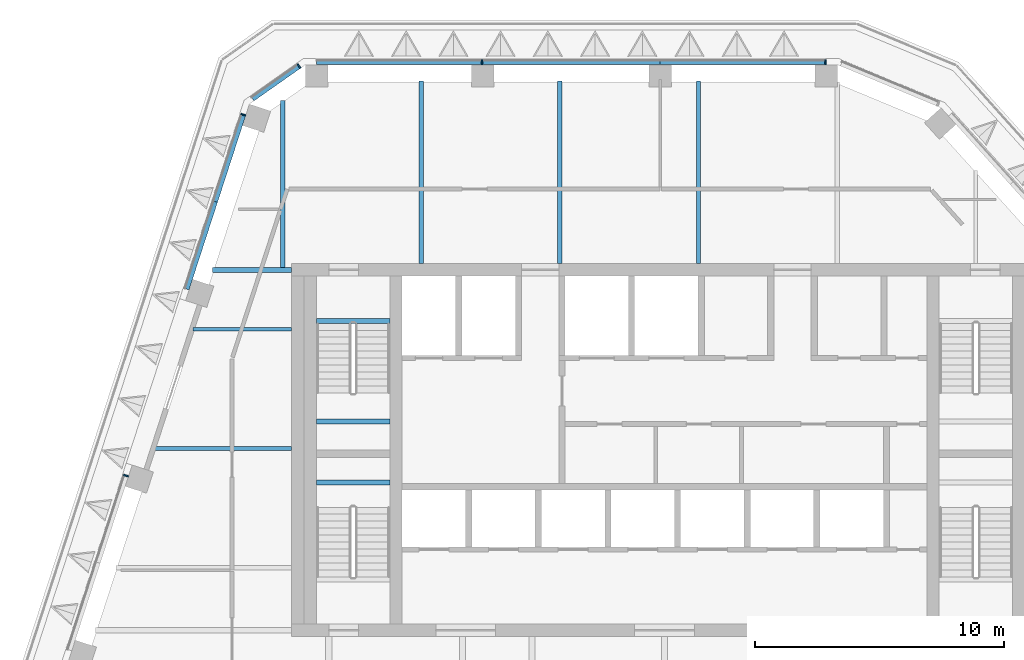
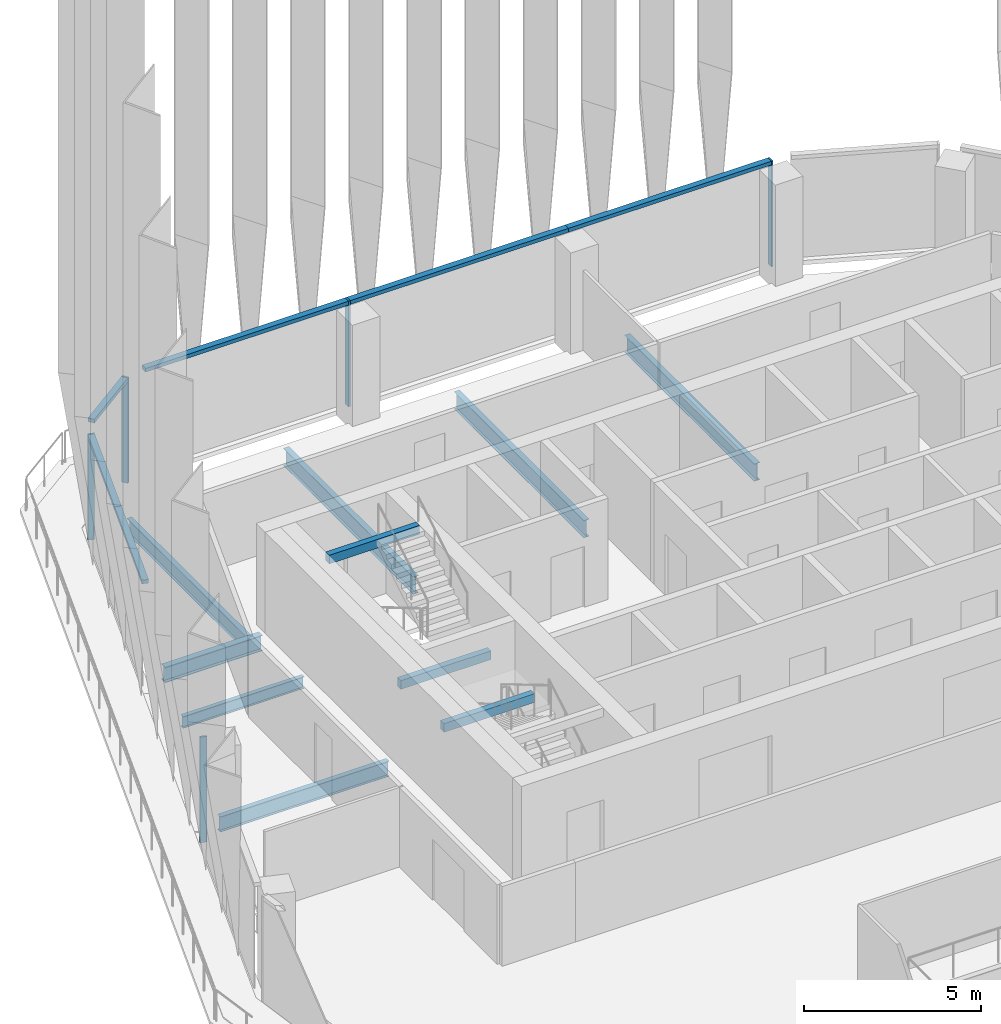
# One storey, part 5 of 21: 11 members, 10 beams, 3 elements without a shape of their own.
"""IFC4 building model written with IfcOpenShell, lengths in metres."""

from ifc_helpers import new_model, si_unit, direction, frame, origin, origin_2d, place, context, subcontext, project, spatial, rectangle, i_section, extrude, material, layer, layer_set, material_profile, profile_set, type_object, element, aggregate, save


model = new_model("IFC4")

# Units and contexts
model_context = context("Model", 3, precision=1e-05, world=origin(), true_north=direction((0.0, 1.0)))
body_context = subcontext(model_context, "Body", "Model", "MODEL_VIEW")
ifc_project = project(units=[si_unit("LENGTHUNIT", "METRE"), si_unit("AREAUNIT", "SQUARE_METRE"), si_unit("VOLUMEUNIT", "CUBIC_METRE"), si_unit("PLANEANGLEUNIT", "RADIAN"), si_unit("MASSUNIT", "GRAM", prefix="KILO")], contexts=[model_context])

# Site, building, storey
site_placement = place(None, origin())
site = spatial("IfcSite", under=ifc_project, at=site_placement, CompositionType="ELEMENT")
building_placement = place(site_placement, origin())
building = spatial("IfcBuilding", under=site, at=building_placement, Name="Isthmus Gate Tower", CompositionType="ELEMENT")
storey_placement = place(building_placement, frame((0.0, 0.0, 260.949951171875)))
storey = spatial("IfcBuildingStorey", under=building, at=storey_placement, Name="L66", CompositionType="ELEMENT", Elevation=260.949951171875)

# Curtain wall, members
ifc_material_1 = material(Name="Aluminium, pale champagne anodised", Category="aluminium")
ifc_layer = layer(ifc_material_1, 0.199951171875)
ifc_layer_set = layer_set([ifc_layer], Name="CW-1 UNITISED CURTAIN WALL 200 DEEP")
curtain_wall_type = type_object("IfcCurtainWallType", Name="CW-1 UNITISED CURTAIN WALL 200 DEEP", PredefinedType="NOTDEFINED", material=ifc_layer_set)
curtain_wall_1_placement = place(storey_placement, origin())
curtain_wall_1 = element("IfcCurtainWall", 1, at=curtain_wall_1_placement, inside=storey, type_object=curtain_wall_type, Name="CW-1 N L66", PredefinedType="NOTDEFINED")
ifc_material_2 = material(Name="Aluminium, pale champagne anodised", Category="aluminium")
ifc_material_profile_1 = material_profile(ifc_material_2, rectangle(XDim=0.06005859375, YDim=0.199951171875, at=origin_2d()), Name="60x200")
ifc_profile_set_1 = profile_set([ifc_material_profile_1], Name="Aluminium, pale champagne anodised")
member_type_1 = type_object("IfcMemberType", Name="CW-1 MULLION 60 X 200", PredefinedType="MULLION", material=ifc_profile_set_1)
member_1_placement = place(storey_placement, frame((6.4794921875, 23.10009765625, 0.0), z_axis=(0.0, 0.0, 1.0), x_axis=(-1.0, 0.0, 0.0)))
member_1 = element("IfcMember", 2, at=member_1_placement, type_object=member_type_1, Name="CW-1 mullion", PredefinedType="MULLION", context=body_context, shape_type="SweptSolid", body=[
    extrude(rectangle(XDim=0.06005859375, YDim=0.199951171875, at=origin_2d()), origin(), (0.0, 0.0, 1.0), 3.650146484375),
])
member_2_placement = place(storey_placement, frame((-7.339599609375, 23.10009765625, 0.0), z_axis=(0.0, 0.0, 1.0), x_axis=(-1.0, 0.0, 0.0)))
member_2 = element("IfcMember", 3, at=member_2_placement, type_object=member_type_1, Name="CW-1 mullion", PredefinedType="MULLION", context=body_context, shape_type="SweptSolid", body=[
    extrude(rectangle(XDim=0.06005859375, YDim=0.199951171875, at=origin_2d()), origin(), (0.0, 0.0, 1.0), 3.650146484375),
])

# Curtain wall, member
curtain_wall_2_placement = place(storey_placement, origin())
curtain_wall_2 = element("IfcCurtainWall", 4, at=curtain_wall_2_placement, inside=storey, type_object=curtain_wall_type, Name="CW-1 N-NW L66", PredefinedType="NOTDEFINED")
member_3_placement = place(storey_placement, frame((-14.69873046875, 22.943115234375, 0.0), z_axis=(0.0, 0.0, 1.0), x_axis=(-0.81785959165, -0.57541783805, 0.0)))
member_3 = element("IfcMember", 5, at=member_3_placement, type_object=member_type_1, Name="CW-1 mullion", PredefinedType="MULLION", context=body_context, shape_type="SweptSolid", body=[
    extrude(rectangle(XDim=0.06005859375, YDim=0.199951171875, at=origin_2d()), origin(), (0.0, 0.0, 1.0), 3.650146484375),
])

# Curtain wall, members
curtain_wall_3_placement = place(storey_placement, origin())
curtain_wall_3 = element("IfcCurtainWall", 6, at=curtain_wall_3_placement, inside=storey, type_object=curtain_wall_type, Name="CW-1 NW L66", PredefinedType="NOTDEFINED")
member_4_placement = place(storey_placement, frame((-16.9404296875, 20.9892578125, 0.0), z_axis=(0.0, 0.0, 1.0), x_axis=(-0.309016994375, -0.951056516295, 0.0)))
member_4 = element("IfcMember", 7, at=member_4_placement, type_object=member_type_1, Name="CW-1 mullion", PredefinedType="MULLION", context=body_context, shape_type="SweptSolid", body=[
    extrude(rectangle(XDim=0.06005859375, YDim=0.199951171875, at=origin_2d()), origin(), (0.0, 0.0, 1.0), 3.650146484375),
])
member_5_placement = place(storey_placement, frame((-21.6572265625, 6.47265625, 0.0), z_axis=(0.0, 0.0, 1.0), x_axis=(-0.309016994375, -0.951056516295, 0.0)))
member_5 = element("IfcMember", 8, at=member_5_placement, type_object=member_type_1, Name="CW-1 mullion", PredefinedType="MULLION", context=body_context, shape_type="SweptSolid", body=[
    extrude(rectangle(XDim=0.06005859375, YDim=0.199951171875, at=origin_2d()), origin(), (0.0, 0.0, 1.0), 3.650146484375),
])

# Member
ifc_material_3 = material(Name="Aluminium, pale champagne anodised", Category="aluminium")
ifc_material_profile_2 = material_profile(ifc_material_3, rectangle(XDim=0.199951171875, YDim=0.1298828125, at=origin_2d()), Name="200x130")
ifc_profile_set_2 = profile_set([ifc_material_profile_2], Name="Aluminium, pale champagne anodised")
member_type_2 = type_object("IfcMemberType", Name="CW-1 TRANSOM 200 X 130", PredefinedType="USERDEFINED", material=ifc_profile_set_2)
member_6_placement = place(storey_placement, frame((6.449462890625, 23.10009765625, 3.5849609375), z_axis=(-1.0, 0.0, 0.0), x_axis=(0.0, -1.0, 0.0)))
member_6 = element("IfcMember", 9, at=member_6_placement, type_object=member_type_2, Name="CW-1 transom", ObjectType="TRANSOM", PredefinedType="USERDEFINED", context=body_context, shape_type="SweptSolid", body=[
    extrude(rectangle(XDim=0.199951171875, YDim=0.1298828125, at=origin_2d()), origin(), (0.0, 0.0, 1.0), 6.62451171875),
])

member_7_placement = place(storey_placement, frame((-0.175048828125, 23.10009765625, 3.5849609375), z_axis=(-1.0, 0.0, 0.0), x_axis=(0.0, -1.0, 0.0)))
member_7 = element("IfcMember", 10, at=member_7_placement, type_object=member_type_2, Name="CW-1 transom", ObjectType="TRANSOM", PredefinedType="USERDEFINED", context=body_context, shape_type="SweptSolid", body=[
    extrude(rectangle(XDim=0.199951171875, YDim=0.1298828125, at=origin_2d()), origin(), (0.0, 0.0, 1.0), 7.134521484375),
])

member_8_placement = place(storey_placement, frame((-7.36962890625, 23.10009765625, 3.5849609375), z_axis=(-1.0, 0.0, 0.0), x_axis=(0.0, -1.0, 0.0)))
member_8 = element("IfcMember", 11, at=member_8_placement, type_object=member_type_2, Name="CW-1 transom", ObjectType="TRANSOM", PredefinedType="USERDEFINED", context=body_context, shape_type="SweptSolid", body=[
    extrude(rectangle(XDim=0.199951171875, YDim=0.1298828125, at=origin_2d()), origin(), (0.0, 0.0, 1.0), 6.62451171875),
])

aggregate(curtain_wall_1, [member_1, member_6, member_7, member_2, member_8])

member_9_placement = place(storey_placement, frame((-14.723388671875, 22.92578125, 3.5849609375), z_axis=(-0.817868595604, -0.575405040233, 0.0), x_axis=(0.575405040233, -0.817868595604, 0.0)))
member_9 = element("IfcMember", 12, at=member_9_placement, type_object=member_type_2, Name="CW-1 transom", ObjectType="TRANSOM", PredefinedType="USERDEFINED", context=body_context, shape_type="SweptSolid", body=[
    extrude(rectangle(XDim=0.199951171875, YDim=0.1298828125, at=origin_2d()), origin(), (0.0, 0.0, 1.0), 2.258544921875),
])

aggregate(curtain_wall_2, [member_3, member_9])

member_10_placement = place(storey_placement, frame((-16.94970703125, 20.960693359375, 3.5849609375), z_axis=(-0.30904213216, -0.951048348166, 0.0), x_axis=(0.951048348166, -0.30904213216, 0.0)))
member_10 = element("IfcMember", 13, at=member_10_placement, type_object=member_type_2, Name="CW-1 transom", ObjectType="TRANSOM", PredefinedType="USERDEFINED", context=body_context, shape_type="SweptSolid", body=[
    extrude(rectangle(XDim=0.199951171875, YDim=0.1298828125, at=origin_2d()), origin(), (0.0, 0.0, 1.0), 3.6435546875),
])

member_11_placement = place(storey_placement, frame((-18.07568359375, 17.49560546875, 3.5849609375), z_axis=(-0.308999609488, -0.951062164812, 0.0), x_axis=(0.951062164812, -0.308999609488, 0.0)))
member_11 = element("IfcMember", 14, at=member_11_placement, type_object=member_type_2, Name="CW-1 transom", ObjectType="TRANSOM", PredefinedType="USERDEFINED", context=body_context, shape_type="SweptSolid", body=[
    extrude(rectangle(XDim=0.199951171875, YDim=0.1298828125, at=origin_2d()), origin(), (0.0, 0.0, 1.0), 3.703125),
])

aggregate(curtain_wall_3, [member_4, member_10, member_11, member_5])

# Beams
ifc_material_4 = material(Name="Concrete f'c 40 MPa", Category="concrete")
ifc_material_profile_3 = material_profile(ifc_material_4, rectangle(XDim=0.199951171875, YDim=0.300048828125, at=origin_2d()), Name="STAIR LANDING BEAM RC 200 X 300")
ifc_profile_set_3 = profile_set([ifc_material_profile_3], Name="Concrete f'c 40 MPa")
beam_type_1 = type_object("IfcBeamType", Name="STAIR LANDING BEAM RC 200 X 300", PredefinedType="BEAM", material=ifc_profile_set_3)
for number, where, z_axis, x_axis, name in (
    (15, (-14.0, 8.64990234375, 1.47509765625), (1.0, 0.0, 0.0), (0.0, 1.0, 0.0), "L66 ST1 landing beam 1"),
    (16, (-14.0, 12.7001953125, 3.35009765625), (1.0, 0.0, 0.0), (0.0, 1.0, 0.0), "L66 ST1 floor-edge seat beam"),
    (17, (-14.0, 6.199951171875, 1.47509765625), (1.0, 0.0, 0.0), (0.0, 1.0, 0.0), "L66 ST7 landing beam 1"),
):
    element("IfcBeam", number, at=place(storey_placement, frame(where, z_axis=z_axis, x_axis=x_axis)), inside=storey, type_object=beam_type_1, Name=name, PredefinedType="BEAM", context=body_context, shape_type="SweptSolid", body=[
        extrude(rectangle(XDim=0.199951171875, YDim=0.300048828125, at=origin_2d()), origin(), (0.0, 0.0, 1.0), 2.949951171875),
    ])
ifc_material_5 = material(Name="Structural steel ASTM A992 Gr 50", Category="steel")
ifc_material_profile_4 = material_profile(ifc_material_5, i_section(OverallWidth=0.1396484375, OverallDepth=0.4033203125, WebThickness=0.00634765625, FlangeThickness=0.010986328125, at=origin_2d()), Name="W16X31")
ifc_profile_set_4 = profile_set([ifc_material_profile_4], Name="Structural steel ASTM A992 Gr 50")
beam_type_2 = type_object("IfcBeamType", Name="STEEL FLOOR BEAM W16X31", PredefinedType="JOIST", material=ifc_profile_set_4)
beam_1_placement = place(storey_placement, frame((-18.95654296875, 12.352294921875, -0.3515625), z_axis=(1.0, 0.0, 0.0), x_axis=(0.0, 1.0, 0.0)))
element("IfcBeam", 18, at=beam_1_placement, inside=storey, type_object=beam_type_2, Name="str-beam-L66-00-02", PredefinedType="JOIST", context=body_context, shape_type="SweptSolid", body=[
    extrude(i_section(OverallWidth=0.1396484375, OverallDepth=0.4033203125, WebThickness=0.00634765625, FlangeThickness=0.010986328125, at=origin_2d()), origin(), (0.0, 0.0, 1.0), 3.95654296875),
])
ifc_material_6 = material(Name="Structural steel ASTM A992 Gr 50", Category="steel")
ifc_material_profile_5 = material_profile(ifc_material_6, i_section(OverallWidth=0.1650390625, OverallDepth=0.52392578125, WebThickness=0.009521484375, FlangeThickness=0.010986328125, at=origin_2d()), Name="W21X44")
ifc_profile_set_5 = profile_set([ifc_material_profile_5], Name="Structural steel ASTM A992 Gr 50")
beam_type_3 = type_object("IfcBeamType", Name="STEEL FLOOR BEAM W21X44", PredefinedType="JOIST", material=ifc_profile_set_5)
beam_2_placement = place(storey_placement, frame((-20.5146484375, 7.55712890625, -0.411865234375), z_axis=(1.0, 0.0, 0.0), x_axis=(0.0, 1.0, 0.0)))
element("IfcBeam", 19, at=beam_2_placement, inside=storey, type_object=beam_type_3, Name="str-beam-L66-00-01", PredefinedType="JOIST", context=body_context, shape_type="SweptSolid", body=[
    extrude(i_section(OverallWidth=0.1650390625, OverallDepth=0.52392578125, WebThickness=0.009521484375, FlangeThickness=0.010986328125, at=origin_2d()), origin(), (0.0, 0.0, 1.0), 5.5146484375),
])
beam_3_placement = place(storey_placement, frame((-15.356201171875, 14.854736328125, -0.411865234375), z_axis=(0.0, 1.0, 0.0), x_axis=(-1.0, 0.0, 0.0)))
element("IfcBeam", 20, at=beam_3_placement, inside=storey, type_object=beam_type_3, Name="str-beam-L66-07-00", PredefinedType="JOIST", context=body_context, shape_type="SweptSolid", body=[
    extrude(i_section(OverallWidth=0.1650390625, OverallDepth=0.52392578125, WebThickness=0.009521484375, FlangeThickness=0.010986328125, at=origin_2d()), origin(), (0.0, 0.0, 1.0), 6.706787109375),
])
ifc_material_7 = material(Name="Structural steel ASTM A992 Gr 50", Category="steel")
ifc_material_profile_6 = material_profile(ifc_material_7, i_section(OverallWidth=0.177734375, OverallDepth=0.60009765625, WebThickness=0.009521484375, FlangeThickness=0.0126953125, at=origin_2d()), Name="W24X55")
ifc_profile_set_6 = profile_set([ifc_material_profile_6], Name="Structural steel ASTM A992 Gr 50")
beam_type_4 = type_object("IfcBeamType", Name="STEEL FLOOR BEAM W24X55", PredefinedType="JOIST", material=ifc_profile_set_6)
for number, where, z_axis, x_axis, name in (
    (21, (-9.781982421875, 15.0, -0.449951171875), (0.0, 1.0, 0.0), (-1.0, 0.0, 0.0), "str-beam-L66-07-01"),
    (22, (-4.207763671875, 15.0, -0.449951171875), (0.0, 1.0, 0.0), (-1.0, 0.0, 0.0), "str-beam-L66-07-02"),
    (23, (1.366455078125, 15.0, -0.449951171875), (0.0, 1.0, 0.0), (-1.0, 0.0, 0.0), "str-beam-L66-07-03"),
):
    element("IfcBeam", number, at=place(storey_placement, frame(where, z_axis=z_axis, x_axis=x_axis)), inside=storey, type_object=beam_type_4, Name=name, PredefinedType="JOIST", context=body_context, shape_type="SweptSolid", body=[
        extrude(i_section(OverallWidth=0.177734375, OverallDepth=0.60009765625, WebThickness=0.009521484375, FlangeThickness=0.0126953125, at=origin_2d()), origin(), (0.0, 0.0, 1.0), 7.348388671875),
    ])
ifc_material_8 = material(Name="Structural steel ASTM A992 Gr 50", Category="steel")
ifc_material_profile_7 = material_profile(ifc_material_8, i_section(OverallWidth=0.20947265625, OverallDepth=0.533447265625, WebThickness=0.009521484375, FlangeThickness=0.015869140625, at=origin_2d()), Name="W21X62")
ifc_profile_set_7 = profile_set([ifc_material_profile_7], Name="Structural steel ASTM A992 Gr 50")
beam_type_5 = type_object("IfcBeamType", Name="STEEL GIRDER W21X62", PredefinedType="BEAM", material=ifc_profile_set_7)
beam_4_placement = place(storey_placement, frame((-15.0, 14.75, -0.416748046875), z_axis=(-1.0, 0.0, 0.0), x_axis=(0.0, -1.0, 0.0)))
element("IfcBeam", 24, at=beam_4_placement, inside=storey, type_object=beam_type_5, Name="str-girder-L66-11", PredefinedType="BEAM", context=body_context, shape_type="SweptSolid", body=[
    extrude(i_section(OverallWidth=0.20947265625, OverallDepth=0.533447265625, WebThickness=0.009521484375, FlangeThickness=0.015869140625, at=origin_2d()), origin(), (0.0, 0.0, 1.0), 3.177490234375),
])

save(model, "model.ifc")
